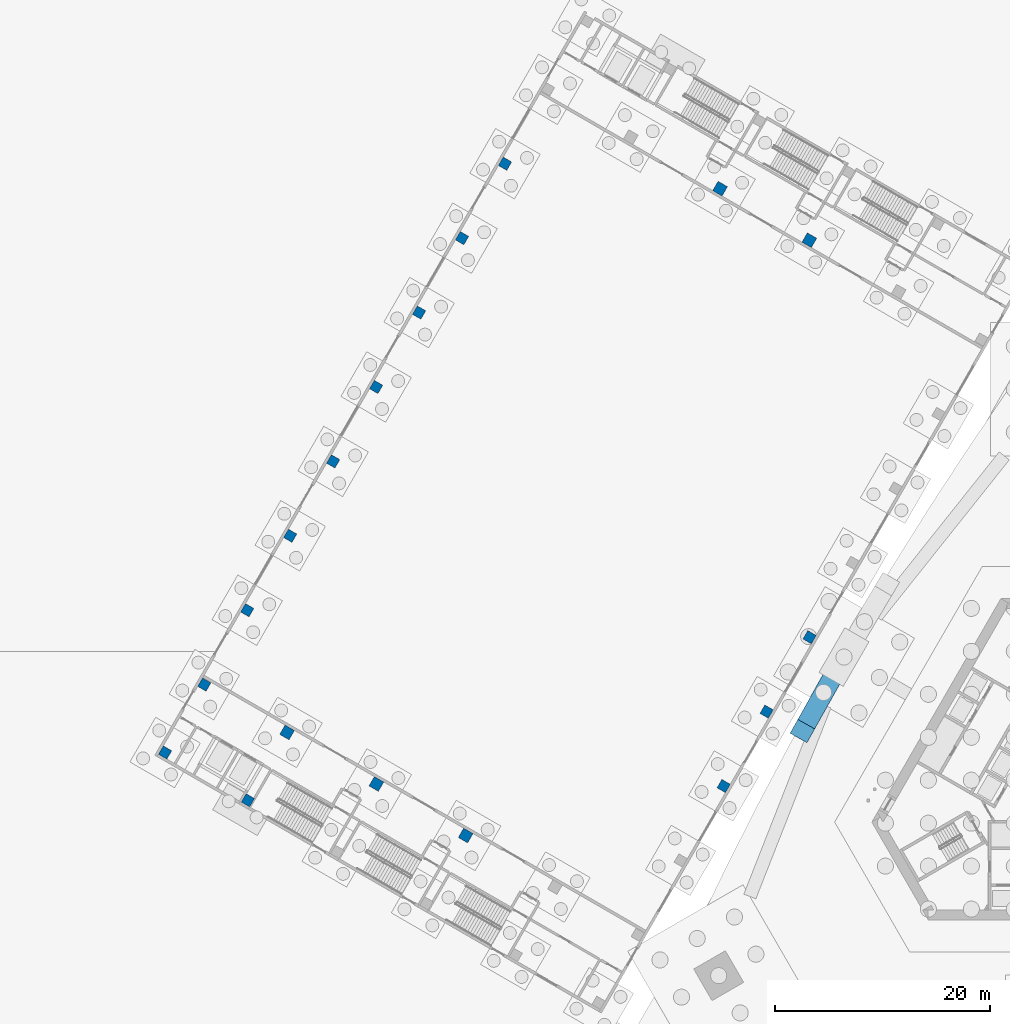
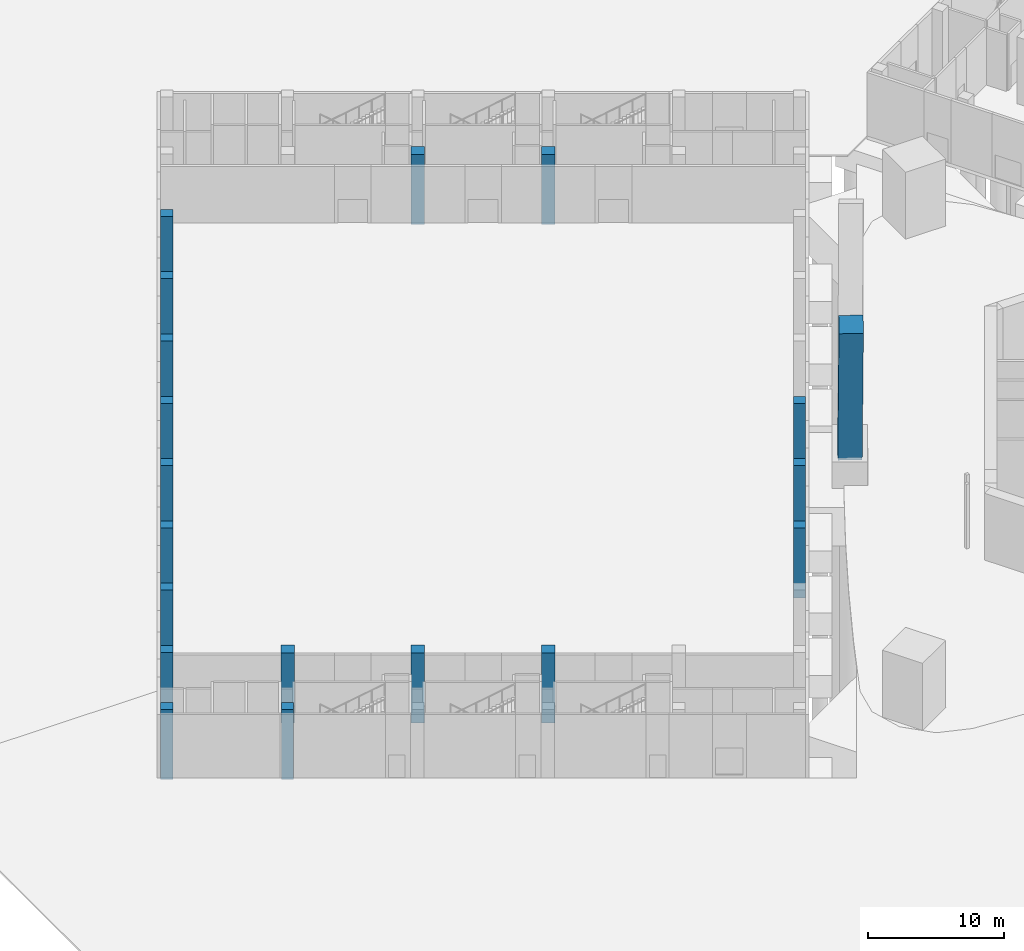
# One storey, part 6 of 38: 19 columns.
"""IFC4 building model written with IfcOpenShell, lengths in metres."""

from ifc_helpers import new_model, si_unit, direction, frame, origin, origin_2d, place, context, subcontext, project, spatial, rectangle, extrude, material, material_profile, profile_set, type_object, element, save


model = new_model("IFC4")

# Units and contexts
model_context = context("Model", 3, precision=1e-05, world=origin(), true_north=direction((0.0, 1.0)))
body_context = subcontext(model_context, "Body", "Model", "MODEL_VIEW")
ifc_project = project(units=[si_unit("LENGTHUNIT", "METRE"), si_unit("AREAUNIT", "SQUARE_METRE"), si_unit("VOLUMEUNIT", "CUBIC_METRE"), si_unit("PLANEANGLEUNIT", "RADIAN"), si_unit("MASSUNIT", "GRAM", prefix="KILO")], contexts=[model_context])

# Site, building, storey
site_placement = place(None, origin())
site = spatial("IfcSite", under=ifc_project, at=site_placement, CompositionType="ELEMENT")
building_placement = place(site_placement, origin())
building = spatial("IfcBuilding", under=site, at=building_placement, Name="Mestral Congress Tower", CompositionType="ELEMENT")
storey_placement = place(building_placement, origin())
storey = spatial("IfcBuildingStorey", under=building, at=storey_placement, Name="L00", CompositionType="ELEMENT", Elevation=0.0)

# Columns
ifc_material_1 = material(Name="Concrete C60/75", Category="concrete")
ifc_material_profile_1 = material_profile(ifc_material_1, rectangle(XDim=1.0, YDim=1.0, at=origin_2d()), Name="RC 1000x1000")
ifc_profile_set_1 = profile_set([ifc_material_profile_1], Name="Concrete C60/75")
column_type_1 = type_object("IfcColumnType", Name="Podium column RC 1000x1000 C60/75", PredefinedType="COLUMN", material=ifc_profile_set_1)
for number, where, z_axis, x_axis, name in (
    (1, (-23.08203125, 50.27685546875, -0.300048828125), (0.0, 0.0, 1.0), (-0.5, -0.866025403784, 0.0), "COL-L00-PC-W-02C"),
    (2, (-31.395751953125, 55.076904296875, -0.300048828125), (0.0, 0.0, 1.0), (-0.5, -0.866025403784, 0.0), "COL-L00-PC-W-02D"),
    (3, (-55.08203125, -5.148681640625, -0.300048828125), (0.0, 0.0, 1.0), (-0.5, -0.866025403784, 0.0), "COL-L00-PC-W-10C"),
    (4, (-63.395751953125, -0.348876953125, -0.300048828125), (0.0, 0.0, 1.0), (-0.5, -0.866025403784, 0.0), "COL-L00-PC-W-10D"),
    (5, (-71.709716796875, 4.451171875, -0.300048828125), (0.0, 0.0, 1.0), (-0.5, -0.866025403784, 0.0), "COL-L00-PC-W-10E"),
):
    element("IfcColumn", number, at=place(storey_placement, frame(where, z_axis=z_axis, x_axis=x_axis)), inside=storey, type_object=column_type_1, Name=name, PredefinedType="COLUMN", context=body_context, shape_type="SweptSolid", body=[
        extrude(rectangle(XDim=1.0, YDim=1.0, at=origin_2d()), origin(), (0.0, 0.0, 1.0), 6.300048828125),
    ])
ifc_material_2 = material(Name="Concrete C50/60", Category="concrete")
ifc_material_profile_2 = material_profile(ifc_material_2, rectangle(XDim=0.89990234375, YDim=0.89990234375, at=origin_2d()), Name="RC 900x900")
ifc_profile_set_2 = profile_set([ifc_material_profile_2], Name="Concrete C50/60")
column_type_2 = type_object("IfcColumnType", Name="Podium column RC 900x900 C50/60", PredefinedType="COLUMN", material=ifc_profile_set_2)
for number, where, z_axis, x_axis, name in (
    (6, (-51.417236328125, 57.398681640625, -0.300048828125), (0.0, 0.0, 1.0), (-0.5, -0.866025403784, 0.0), "COL-L00-PC-W-03F"),
    (7, (-55.417236328125, 50.470458984375, -0.300048828125), (0.0, 0.0, 1.0), (-0.5, -0.866025403784, 0.0), "COL-L00-PC-W-04F"),
    (8, (-59.417236328125, 43.542236328125, -0.300048828125), (0.0, 0.0, 1.0), (-0.5, -0.866025403784, 0.0), "COL-L00-PC-W-05F"),
    (9, (-23.060546875, 13.31396484375, -0.300048828125), (0.0, 0.0, 1.0), (-0.5, -0.866025403784, 0.0), "COL-L00-PC-W-06A"),
    (10, (-63.417236328125, 36.614013671875, -0.300048828125), (0.0, 0.0, 1.0), (-0.5, -0.866025403784, 0.0), "COL-L00-PC-W-06F"),
    (11, (-27.060546875, 6.3857421875, -0.300048828125), (0.0, 0.0, 1.0), (-0.5, -0.866025403784, 0.0), "COL-L00-PC-W-07A"),
    (12, (-67.417236328125, 29.685791015625, -0.300048828125), (0.0, 0.0, 1.0), (-0.5, -0.866025403784, 0.0), "COL-L00-PC-W-07F"),
    (13, (-31.060546875, -0.54248046875, -0.300048828125), (0.0, 0.0, 1.0), (-0.5, -0.866025403784, 0.0), "COL-L00-PC-W-08A"),
    (14, (-71.417236328125, 22.757568359375, -0.300048828125), (0.0, 0.0, 1.0), (-0.5, -0.866025403784, 0.0), "COL-L00-PC-W-08F"),
    (15, (-75.417236328125, 15.829345703125, -0.300048828125), (0.0, 0.0, 1.0), (-0.5, -0.866025403784, 0.0), "COL-L00-PC-W-09F"),
    (16, (-79.417236328125, 8.901123046875, -0.300048828125), (0.0, 0.0, 1.0), (-0.5, -0.866025403784, 0.0), "COL-L00-PC-W-10F"),
    (17, (-75.359619140625, -1.870849609375, -0.300048828125), (0.0, 0.0, 1.0), (-0.5, -0.866025403784, 0.0), "COL-L00-PC-W-11E"),
    (18, (-83.0673828125, 2.5791015625, -0.300048828125), (0.0, 0.0, 1.0), (-0.5, -0.866025403784, 0.0), "COL-L00-PC-W-11F"),
):
    element("IfcColumn", number, at=place(storey_placement, frame(where, z_axis=z_axis, x_axis=x_axis)), inside=storey, type_object=column_type_2, Name=name, PredefinedType="COLUMN", context=body_context, shape_type="SweptSolid", body=[
        extrude(rectangle(XDim=0.89990234375, YDim=0.89990234375, at=origin_2d()), origin(), (0.0, 0.0, 1.0), 6.300048828125),
    ])
ifc_material_3 = material(Name="Concrete C80/95", Category="concrete")
ifc_material_profile_3 = material_profile(ifc_material_3, rectangle(XDim=1.800048828125, YDim=1.60009765625, at=origin_2d()), Name="RC 1800x1600")
ifc_profile_set_3 = profile_set([ifc_material_profile_3], Name="Concrete C80/95")
column_type_3 = type_object("IfcColumnType", Name="V leg RC 1800x1600 C80/95", PredefinedType="COLUMN", material=ifc_profile_set_3)
column_placement = place(storey_placement, frame((-20.35498046875, 10.597412109375, 2.10009765625), z_axis=(-0.191547193373, -0.34185939919, 0.920022730097), x_axis=(0.872390750772, -0.48880914268, 0.0)))
element("IfcColumn", 19, at=column_placement, inside=storey, type_object=column_type_3, Name="COL-VL-VL-WE", PredefinedType="COLUMN", context=body_context, shape_type="SweptSolid", body=[
    extrude(rectangle(XDim=1.800048828125, YDim=1.60009765625, at=origin_2d()), origin(), (0.0, 0.0, 1.0), 17.608154296875),
])

save(model, "model.ifc")
